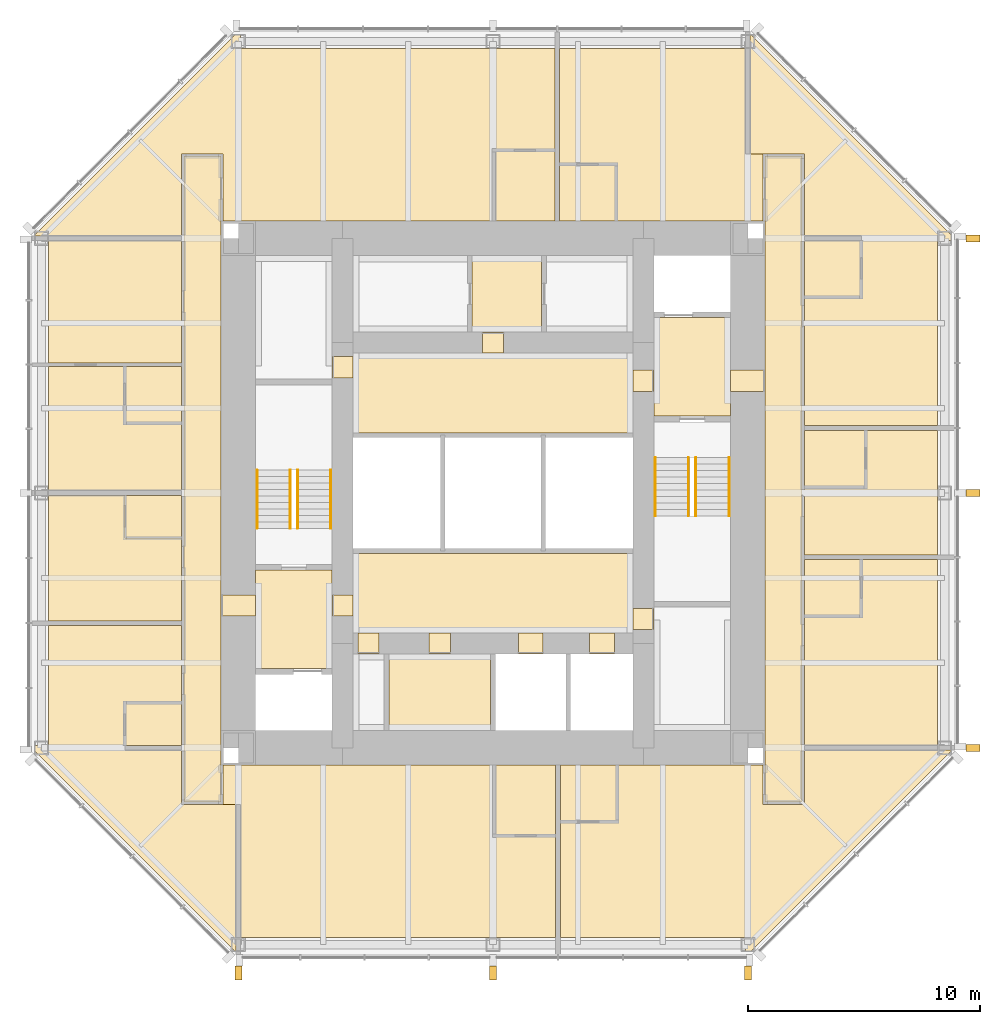
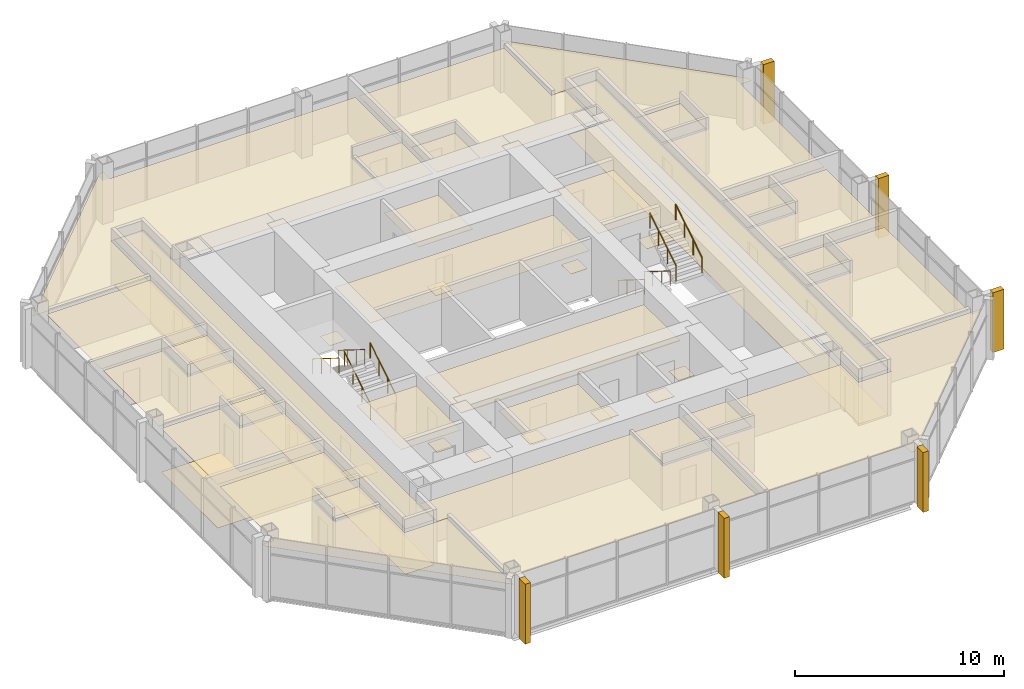
# One storey, part 11 of 11: 49 coverings, 8 railings.
"""IFC4 building model written with IfcOpenShell, lengths in metres."""

from ifc_helpers import new_model, si_unit, direction, frame, origin, origin_2d, place, context, subcontext, project, spatial, polyline, rectangle, circle, outline, extrude, material, layer, layer_set, type_object, element, save


model = new_model("IFC4")

# Units and contexts
model_context = context("Model", 3, precision=1e-05, world=origin(), true_north=direction((0.0, 1.0)))
body_context = subcontext(model_context, "Body", "Model", "MODEL_VIEW")
ifc_project = project(units=[si_unit("LENGTHUNIT", "METRE"), si_unit("AREAUNIT", "SQUARE_METRE"), si_unit("VOLUMEUNIT", "CUBIC_METRE"), si_unit("PLANEANGLEUNIT", "RADIAN"), si_unit("MASSUNIT", "GRAM", prefix="KILO")], contexts=[model_context])

# Site, building, storey
site_placement = place(None, origin())
site = spatial("IfcSite", under=ifc_project, at=site_placement, CompositionType="ELEMENT")
building_placement = place(site_placement, origin())
building = spatial("IfcBuilding", under=site, at=building_placement, Name="Trevanion Tower", CompositionType="ELEMENT")
storey_placement = place(building_placement, frame((0.0, 0.0, 243.199951171875)))
storey = spatial("IfcBuildingStorey", under=building, at=storey_placement, Name="L59", CompositionType="ELEMENT", Elevation=243.199951171875)

# Coverings
ifc_material_1 = material(Name="Fibrous plaster coffers on suspended steel grid", Category="steel")
ifc_layer_1 = layer(ifc_material_1, 0.050048828125)
ifc_layer_set_1 = layer_set([ifc_layer_1], Name="CL1 coffered fibrous plaster ceiling 50")
covering_type_1 = type_object("IfcCoveringType", Name="CL1 coffered fibrous plaster ceiling 50", PredefinedType="CEILING", material=ifc_layer_set_1)
covering_1_placement = place(storey_placement, frame((0.0, 0.0, 2.429931640625)))
element("IfcCovering", 1, at=covering_1_placement, inside=storey, type_object=covering_type_1, Name="CL1 L59-LBS", PredefinedType="CEILING", context=body_context, shape_type="SweptSolid", body=[
    extrude(outline(polyline([(6.050048828125, -6.050048828125), (6.050048828125, -2.60009765625), (-6.050048828125, -2.60009765625), (-6.050048828125, -6.050048828125), (6.050048828125, -6.050048828125)])), origin(), (0.0, 0.0, 1.0), 0.050048828125),
])
ifc_material_2 = material(Name="Mineral fibre acoustic tiles in exposed grid", Category="mineral fibre")
ifc_layer_2 = layer(ifc_material_2, 0.02001953125)
ifc_layer_set_2 = layer_set([ifc_layer_2], Name="CL2 acoustic tile ceiling 20")
covering_type_2 = type_object("IfcCoveringType", Name="CL2 acoustic tile ceiling 20", PredefinedType="CEILING", material=ifc_layer_set_2)
covering_2_placement = place(storey_placement, frame((0.0, 0.0, 2.4599609375)))
element("IfcCovering", 2, at=covering_2_placement, inside=storey, type_object=covering_type_2, Name="CL2 L59-LBN", PredefinedType="CEILING", context=body_context, shape_type="SweptSolid", body=[
    extrude(outline(polyline([(6.050048828125, 2.60009765625), (6.050048828125, 6.050048828125), (-6.050048828125, 6.050048828125), (-6.050048828125, 2.60009765625), (6.050048828125, 2.60009765625)])), origin(), (0.0, 0.0, 1.0), 0.02001953125),
])
covering_3_placement = place(storey_placement, frame((0.0, 0.0, 2.4599609375)))
element("IfcCovering", 3, at=covering_3_placement, inside=storey, type_object=covering_type_2, Name="CL2 L59-HKC", PredefinedType="CEILING", context=body_context, shape_type="SweptSolid", body=[
    extrude(outline(polyline([(2.10009765625, 6.949951171875), (2.10009765625, 10.25), (-0.89990234375, 10.25), (-0.89990234375, 6.949951171875), (2.10009765625, 6.949951171875)])), origin(), (0.0, 0.0, 1.0), 0.02001953125),
])
covering_4_placement = place(storey_placement, frame((0.0, 0.0, 2.633056640625)))
element("IfcCovering", 4, at=covering_4_placement, inside=storey, type_object=covering_type_2, Name="CL2 L59-CO1", PredefinedType="CEILING", context=body_context, shape_type="SweptSolid", body=[
    extrude(outline(polyline([(-11.75, 14.550048828125), (-11.75, -13.35009765625), (-13.35009765625, -13.35009765625), (-13.35009765625, 14.550048828125), (-11.75, 14.550048828125)])), origin(), (0.0, 0.0, 1.0), 0.02001953125),
])
covering_5_placement = place(storey_placement, frame((0.0, 0.0, 2.633056640625)))
element("IfcCovering", 5, at=covering_5_placement, inside=storey, type_object=covering_type_2, Name="CL2 L59-CO2", PredefinedType="CEILING", context=body_context, shape_type="SweptSolid", body=[
    extrude(outline(polyline([(11.75, -13.35009765625), (11.75, 14.550048828125), (13.35009765625, 14.550048828125), (13.35009765625, -13.35009765625), (11.75, -13.35009765625)])), origin(), (0.0, 0.0, 1.0), 0.02001953125),
])
ifc_material_3 = material(Name="Gypsum plasterboard on suspended metal furring", Category="gypsum")
ifc_layer_3 = layer(ifc_material_3, 0.012939453125)
ifc_layer_set_3 = layer_set([ifc_layer_3], Name="CL3 plasterboard ceiling 13")
covering_type_3 = type_object("IfcCoveringType", Name="CL3 plasterboard ceiling 13", PredefinedType="CEILING", material=ifc_layer_set_3)
covering_6_placement = place(storey_placement, frame((0.0, 0.0, 2.699951171875)))
element("IfcCovering", 6, at=covering_6_placement, inside=storey, type_object=covering_type_3, Name="CL3 L59-FV1", PredefinedType="CEILING", context=body_context, shape_type="SweptSolid", body=[
    extrude(outline(polyline([(10.25, 3.324951171875), (10.25, 7.574951171875), (6.949951171875, 7.574951171875), (6.949951171875, 3.324951171875), (10.25, 3.324951171875)])), origin(), (0.0, 0.0, 1.0), 0.01318359375),
])
covering_7_placement = place(storey_placement, frame((0.0, 0.0, 2.699951171875)))
element("IfcCovering", 7, at=covering_7_placement, inside=storey, type_object=covering_type_3, Name="CL3 L59-FV2", PredefinedType="CEILING", context=body_context, shape_type="SweptSolid", body=[
    extrude(outline(polyline([(-10.25, -3.324951171875), (-10.25, -7.574951171875), (-6.949951171875, -7.574951171875), (-6.949951171875, -3.324951171875), (-10.25, -3.324951171875)])), origin(), (0.0, 0.0, 1.0), 0.01318359375),
])
covering_8_placement = place(storey_placement, frame((0.0, 0.0, 2.551025390625)))
element("IfcCovering", 8, at=covering_8_placement, inside=storey, type_object=covering_type_3, Name="CL3 L59-GJ", PredefinedType="CEILING", context=body_context, shape_type="SweptSolid", body=[
    extrude(outline(polyline([(13.449951171875, -5.324951171875), (15.89990234375, -5.324951171875), (15.89990234375, -2.875), (19.199951171875, -2.875), (19.199951171875, -10.89990234375), (13.449951171875, -10.89990234375), (13.449951171875, -5.324951171875)])), origin(), (0.0, 0.0, 1.0), 0.012939453125),
])
covering_9_placement = place(storey_placement, frame((0.0, 0.0, 2.551025390625)))
element("IfcCovering", 9, at=covering_9_placement, inside=storey, type_object=covering_type_3, Name="CL3 L59-GA", PredefinedType="CEILING", context=body_context, shape_type="SweptSolid", body=[
    extrude(outline(polyline([(13.449951171875, 0.257080078125), (16.10009765625, 0.257080078125), (16.10009765625, 2.70703125), (19.199951171875, 2.70703125), (19.199951171875, -2.675048828125), (13.449951171875, -2.675048828125), (13.449951171875, 0.257080078125)])), origin(), (0.0, 0.0, 1.0), 0.012939453125),
])
covering_10_placement = place(storey_placement, frame((0.0, 0.0, 2.551025390625)))
element("IfcCovering", 10, at=covering_10_placement, inside=storey, type_object=covering_type_3, Name="CL3 L59-GJ2", PredefinedType="CEILING", context=body_context, shape_type="SweptSolid", body=[
    extrude(outline(polyline([(11.10009765625, 14.64990234375), (11.10009765625, 19.800048828125), (11.124267578125, 19.800048828125), (19.800048828125, 11.124267578125), (19.800048828125, 10.89990234375), (19.199951171875, 10.89990234375), (19.199951171875, 2.906982421875), (13.449951171875, 2.906982421875), (13.449951171875, 8.449951171875), (15.89990234375, 8.449951171875), (15.89990234375, 10.949951171875), (13.449951171875, 10.949951171875), (13.449951171875, 14.64990234375), (11.10009765625, 14.64990234375)])), origin(), (0.0, 0.0, 1.0), 0.012939453125),
])
covering_11_placement = place(storey_placement, frame((0.0, 0.0, 2.551025390625)))
element("IfcCovering", 11, at=covering_11_placement, inside=storey, type_object=covering_type_3, Name="CL3 L59-GJ3", PredefinedType="CEILING", context=body_context, shape_type="SweptSolid", body=[
    extrude(outline(polyline([(2.875, 19.199951171875), (10.89990234375, 19.199951171875), (10.89990234375, 14.64990234375), (11.64990234375, 14.64990234375), (11.64990234375, 11.75), (5.324951171875, 11.75), (5.324951171875, 14.199951171875), (2.875, 14.199951171875), (2.875, 19.199951171875)])), origin(), (0.0, 0.0, 1.0), 0.012939453125),
])
covering_12_placement = place(storey_placement, frame((0.0, 0.0, 2.551025390625)))
element("IfcCovering", 12, at=covering_12_placement, inside=storey, type_object=covering_type_3, Name="CL3 L59-GY", PredefinedType="CEILING", context=body_context, shape_type="SweptSolid", body=[
    extrude(outline(polyline([(-13.449951171875, 11.10009765625), (-19.800048828125, 11.10009765625), (-19.800048828125, 11.124267578125), (-11.124267578125, 19.800048828125), (-10.89990234375, 19.800048828125), (-10.89990234375, 19.199951171875), (2.675048828125, 19.199951171875), (2.675048828125, 14.800048828125), (0.02490234375, 14.800048828125), (0.02490234375, 11.75), (-11.64990234375, 11.75), (-11.64990234375, 14.64990234375), (-13.449951171875, 14.64990234375), (-13.449951171875, 11.10009765625)])), origin(), (0.0, 0.0, 1.0), 0.012939453125),
])
covering_13_placement = place(storey_placement, frame((0.0, 0.0, 2.551025390625)))
element("IfcCovering", 13, at=covering_13_placement, inside=storey, type_object=covering_type_3, Name="CL3 L59-SL", PredefinedType="CEILING", context=body_context, shape_type="SweptSolid", body=[
    extrude(outline(polyline([(-13.449951171875, 10.89990234375), (-13.449951171875, 5.6240234375), (-19.199951171875, 5.6240234375), (-19.199951171875, 10.89990234375), (-13.449951171875, 10.89990234375)])), origin(), (0.0, 0.0, 1.0), 0.012939453125),
])
covering_14_placement = place(storey_placement, frame((0.0, 0.0, 2.551025390625)))
element("IfcCovering", 14, at=covering_14_placement, inside=storey, type_object=covering_type_3, Name="CL3 L59-SB", PredefinedType="CEILING", context=body_context, shape_type="SweptSolid", body=[
    extrude(outline(polyline([(-13.449951171875, 0.10009765625), (-19.199951171875, 0.10009765625), (-19.199951171875, 5.47412109375), (-15.89990234375, 5.47412109375), (-15.89990234375, 3.02392578125), (-13.449951171875, 3.02392578125), (-13.449951171875, 0.10009765625)])), origin(), (0.0, 0.0, 1.0), 0.012939453125),
])
covering_15_placement = place(storey_placement, frame((0.0, 0.0, 2.551025390625)))
element("IfcCovering", 15, at=covering_15_placement, inside=storey, type_object=covering_type_3, Name="CL3 L59-GR", PredefinedType="CEILING", context=body_context, shape_type="SweptSolid", body=[
    extrude(outline(polyline([(-13.449951171875, -5.513916015625), (-19.199951171875, -5.513916015625), (-19.199951171875, -0.10009765625), (-15.89990234375, -0.10009765625), (-15.89990234375, -1.949951171875), (-13.449951171875, -1.949951171875), (-13.449951171875, -5.513916015625)])), origin(), (0.0, 0.0, 1.0), 0.012939453125),
])
covering_16_placement = place(storey_placement, frame((0.0, 0.0, 2.551025390625)))
element("IfcCovering", 16, at=covering_16_placement, inside=storey, type_object=covering_type_3, Name="CL3 L59-GR2", PredefinedType="CEILING", context=body_context, shape_type="SweptSolid", body=[
    extrude(outline(polyline([(-11.10009765625, -13.449951171875), (-11.10009765625, -19.800048828125), (-11.124267578125, -19.800048828125), (-19.800048828125, -11.124267578125), (-19.800048828125, -10.89990234375), (-19.199951171875, -10.89990234375), (-19.199951171875, -5.714111328125), (-13.449951171875, -5.714111328125), (-13.449951171875, -9.050048828125), (-15.89990234375, -9.050048828125), (-15.89990234375, -10.949951171875), (-13.449951171875, -10.949951171875), (-13.449951171875, -13.449951171875), (-11.10009765625, -13.449951171875)])), origin(), (0.0, 0.0, 1.0), 0.012939453125),
])
covering_17_placement = place(storey_placement, frame((0.0, 0.0, 2.551025390625)))
element("IfcCovering", 17, at=covering_17_placement, inside=storey, type_object=covering_type_3, Name="CL3 L59-GY2", PredefinedType="CEILING", context=body_context, shape_type="SweptSolid", body=[
    extrude(outline(polyline([(2.70703125, -19.199951171875), (-10.89990234375, -19.199951171875), (-10.89990234375, -13.449951171875), (-11.64990234375, -13.449951171875), (-11.64990234375, -11.75), (0.056884765625, -11.75), (0.056884765625, -14.800048828125), (2.70703125, -14.800048828125), (2.70703125, -19.199951171875)])), origin(), (0.0, 0.0, 1.0), 0.012939453125),
])
covering_18_placement = place(storey_placement, frame((0.0, 0.0, 2.551025390625)))
element("IfcCovering", 18, at=covering_18_placement, inside=storey, type_object=covering_type_3, Name="CL3 L59-GJ4", PredefinedType="CEILING", context=body_context, shape_type="SweptSolid", body=[
    extrude(outline(polyline([(13.449951171875, -11.10009765625), (19.800048828125, -11.10009765625), (19.800048828125, -11.124267578125), (11.124267578125, -19.800048828125), (10.89990234375, -19.800048828125), (10.89990234375, -19.199951171875), (2.906982421875, -19.199951171875), (2.906982421875, -14.199951171875), (5.35693359375, -14.199951171875), (5.35693359375, -11.75), (11.64990234375, -11.75), (11.64990234375, -13.449951171875), (13.449951171875, -13.449951171875), (13.449951171875, -11.10009765625)])), origin(), (0.0, 0.0, 1.0), 0.012939453125),
])
ifc_material_4 = material(Name="Moisture-resistant gypsum board on suspended metal furring", Category="gypsum")
ifc_layer_4 = layer(ifc_material_4, 0.01611328125)
ifc_layer_set_4 = layer_set([ifc_layer_4], Name="CL4 moisture-resistant board ceiling 16")
covering_type_4 = type_object("IfcCoveringType", Name="CL4 moisture-resistant board ceiling 16", PredefinedType="CEILING", material=ifc_layer_set_4)
covering_19_placement = place(storey_placement, frame((0.0, 0.0, 2.60009765625)))
element("IfcCovering", 19, at=covering_19_placement, inside=storey, type_object=covering_type_4, Name="CL4 L59-SI2", PredefinedType="CEILING", context=body_context, shape_type="SweptSolid", body=[
    extrude(outline(polyline([(-0.10009765625, -10.25), (-0.10009765625, -6.949951171875), (-4.5, -6.949951171875), (-4.5, -10.25), (-0.10009765625, -10.25)])), origin(), (0.0, 0.0, 1.0), 0.015869140625),
])
covering_20_placement = place(storey_placement, frame((0.0, 0.0, 2.60009765625)))
element("IfcCovering", 20, at=covering_20_placement, inside=storey, type_object=covering_type_4, Name="CL4 L59-EN", PredefinedType="CEILING", context=body_context, shape_type="SweptSolid", body=[
    extrude(outline(polyline([(15.85009765625, -5.27490234375), (15.85009765625, -2.875), (13.449951171875, -2.875), (13.449951171875, -5.27490234375), (15.85009765625, -5.27490234375)])), origin(), (0.0, 0.0, 1.0), 0.015869140625),
])
covering_21_placement = place(storey_placement, frame((0.0, 0.0, 2.60009765625)))
element("IfcCovering", 21, at=covering_21_placement, inside=storey, type_object=covering_type_4, Name="CL4 L59-EN2", PredefinedType="CEILING", context=body_context, shape_type="SweptSolid", body=[
    extrude(outline(polyline([(16.050048828125, 0.306884765625), (16.050048828125, 2.70703125), (13.449951171875, 2.70703125), (13.449951171875, 0.306884765625), (16.050048828125, 0.306884765625)])), origin(), (0.0, 0.0, 1.0), 0.015869140625),
])
covering_22_placement = place(storey_placement, frame((0.0, 0.0, 2.60009765625)))
element("IfcCovering", 22, at=covering_22_placement, inside=storey, type_object=covering_type_4, Name="CL4 L59-EN3", PredefinedType="CEILING", context=body_context, shape_type="SweptSolid", body=[
    extrude(outline(polyline([(15.85009765625, 8.5), (15.85009765625, 10.89990234375), (13.449951171875, 10.89990234375), (13.449951171875, 8.5), (15.85009765625, 8.5)])), origin(), (0.0, 0.0, 1.0), 0.015869140625),
])
covering_23_placement = place(storey_placement, frame((0.0, 0.0, 2.60009765625)))
element("IfcCovering", 23, at=covering_23_placement, inside=storey, type_object=covering_type_4, Name="CL4 L59-EN4", PredefinedType="CEILING", context=body_context, shape_type="SweptSolid", body=[
    extrude(outline(polyline([(5.27490234375, 14.14990234375), (2.875, 14.14990234375), (2.875, 11.75), (5.27490234375, 11.75), (5.27490234375, 14.14990234375)])), origin(), (0.0, 0.0, 1.0), 0.015869140625),
])
covering_24_placement = place(storey_placement, frame((0.0, 0.0, 2.60009765625)))
element("IfcCovering", 24, at=covering_24_placement, inside=storey, type_object=covering_type_4, Name="CL4 L59-EN5", PredefinedType="CEILING", context=body_context, shape_type="SweptSolid", body=[
    extrude(outline(polyline([(2.675048828125, 14.75), (0.074951171875, 14.75), (0.074951171875, 11.75), (2.675048828125, 11.75), (2.675048828125, 14.75)])), origin(), (0.0, 0.0, 1.0), 0.015869140625),
])
covering_25_placement = place(storey_placement, frame((0.0, 0.0, 2.60009765625)))
element("IfcCovering", 25, at=covering_25_placement, inside=storey, type_object=covering_type_4, Name="CL4 L59-SN", PredefinedType="CEILING", context=body_context, shape_type="SweptSolid", body=[
    extrude(outline(polyline([(-15.85009765625, 5.47412109375), (-15.85009765625, 3.073974609375), (-13.449951171875, 3.073974609375), (-13.449951171875, 5.47412109375), (-15.85009765625, 5.47412109375)])), origin(), (0.0, 0.0, 1.0), 0.015869140625),
])
covering_26_placement = place(storey_placement, frame((0.0, 0.0, 2.60009765625)))
element("IfcCovering", 26, at=covering_26_placement, inside=storey, type_object=covering_type_4, Name="CL4 L59-EN6", PredefinedType="CEILING", context=body_context, shape_type="SweptSolid", body=[
    extrude(outline(polyline([(-15.85009765625, -0.10009765625), (-15.85009765625, -1.89990234375), (-13.449951171875, -1.89990234375), (-13.449951171875, -0.10009765625), (-15.85009765625, -0.10009765625)])), origin(), (0.0, 0.0, 1.0), 0.015869140625),
])
covering_27_placement = place(storey_placement, frame((0.0, 0.0, 2.60009765625)))
element("IfcCovering", 27, at=covering_27_placement, inside=storey, type_object=covering_type_4, Name="CL4 L59-EN7", PredefinedType="CEILING", context=body_context, shape_type="SweptSolid", body=[
    extrude(outline(polyline([(-15.85009765625, -9.10009765625), (-15.85009765625, -10.89990234375), (-13.449951171875, -10.89990234375), (-13.449951171875, -9.10009765625), (-15.85009765625, -9.10009765625)])), origin(), (0.0, 0.0, 1.0), 0.015869140625),
])
covering_28_placement = place(storey_placement, frame((0.0, 0.0, 2.60009765625)))
element("IfcCovering", 28, at=covering_28_placement, inside=storey, type_object=covering_type_4, Name="CL4 L59-EN8", PredefinedType="CEILING", context=body_context, shape_type="SweptSolid", body=[
    extrude(outline(polyline([(0.10693359375, -14.75), (2.70703125, -14.75), (2.70703125, -11.75), (0.10693359375, -11.75), (0.10693359375, -14.75)])), origin(), (0.0, 0.0, 1.0), 0.015869140625),
])
covering_29_placement = place(storey_placement, frame((0.0, 0.0, 2.60009765625)))
element("IfcCovering", 29, at=covering_29_placement, inside=storey, type_object=covering_type_4, Name="CL4 L59-EN9", PredefinedType="CEILING", context=body_context, shape_type="SweptSolid", body=[
    extrude(outline(polyline([(2.906982421875, -14.14990234375), (5.306884765625, -14.14990234375), (5.306884765625, -11.75), (2.906982421875, -11.75), (2.906982421875, -14.14990234375)])), origin(), (0.0, 0.0, 1.0), 0.015869140625),
])
ifc_material_5 = material(Name="Cast bronze fin on aluminium carrier", Category="aluminium")
covering_type_5 = type_object("IfcCoveringType", Name="F1 bronze fin", PredefinedType="CLADDING", material=ifc_material_5)
for number, where, z_axis, x_axis, name in (
    (30, (20.72509765625, -11.0, -0.18994140625), (0.0, 0.0, 1.0), (0.0, 1.0, 0.0), "F1 L59 east -11.0"),
    (31, (20.72509765625, 0.0, -0.18994140625), (0.0, 0.0, 1.0), (0.0, 1.0, 0.0), "F1 L59 east +0.0"),
    (32, (20.72509765625, 11.0, -0.18994140625), (0.0, 0.0, 1.0), (0.0, 1.0, 0.0), "F1 L59 east +11.0"),
    (33, (-11.0, -20.72509765625, -0.18994140625), (0.0, 0.0, 1.0), (1.0, 0.0, 0.0), "F1 L59 south -11.0"),
    (34, (0.0, -20.72509765625, -0.18994140625), (0.0, 0.0, 1.0), (1.0, 0.0, 0.0), "F1 L59 south +0.0"),
    (35, (11.0, -20.72509765625, -0.18994140625), (0.0, 0.0, 1.0), (1.0, 0.0, 0.0), "F1 L59 south +11.0"),
):
    element("IfcCovering", number, at=place(storey_placement, frame(where, z_axis=z_axis, x_axis=x_axis)), inside=storey, type_object=covering_type_5, Name=name, PredefinedType="CLADDING", context=body_context, shape_type="SweptSolid", body=[
        extrude(rectangle(XDim=0.300048828125, YDim=0.60009765625, at=origin_2d()), origin(), (0.0, 0.0, 1.0), 3.5),
    ])
ifc_material_6 = material(Name="Terrazzo, brass divider strips", Category="stone")
ifc_layer_5 = layer(ifc_material_6, 0.02001953125)
ifc_layer_set_5 = layer_set([ifc_layer_5], Name="FF1 terrazzo flooring")
covering_type_6 = type_object("IfcCoveringType", Name="FF1 terrazzo flooring", PredefinedType="FLOORING", material=ifc_layer_set_5)
covering_30_placement = place(storey_placement, origin())
element("IfcCovering", 36, at=covering_30_placement, inside=storey, type_object=covering_type_6, Name="FF1 threshold 59-001", PredefinedType="FLOORING", context=body_context, shape_type="SweptSolid", body=[
    extrude(outline(polyline([(11.75, 4.392578125), (11.75, 5.3076171875), (10.25, 5.3076171875), (10.25, 4.392578125), (11.75, 4.392578125)])), origin(), (0.0, 0.0, 1.0), 0.02001953125),
])
covering_31_placement = place(storey_placement, origin())
element("IfcCovering", 37, at=covering_31_placement, inside=storey, type_object=covering_type_6, Name="FF1 threshold 59-002", PredefinedType="FLOORING", context=body_context, shape_type="SweptSolid", body=[
    extrude(outline(polyline([(-11.75, -4.392578125), (-11.75, -5.3076171875), (-10.25, -5.3076171875), (-10.25, -4.392578125), (-11.75, -4.392578125)])), origin(), (0.0, 0.0, 1.0), 0.02001953125),
])
covering_32_placement = place(storey_placement, origin())
element("IfcCovering", 38, at=covering_32_placement, inside=storey, type_object=covering_type_6, Name="FF1 threshold 59-003", PredefinedType="FLOORING", context=body_context, shape_type="SweptSolid", body=[
    extrude(outline(polyline([(6.949951171875, 4.392578125), (6.949951171875, 5.3076171875), (6.050048828125, 5.3076171875), (6.050048828125, 4.392578125), (6.949951171875, 4.392578125)])), origin(), (0.0, 0.0, 1.0), 0.02001953125),
])
covering_33_placement = place(storey_placement, origin())
element("IfcCovering", 39, at=covering_33_placement, inside=storey, type_object=covering_type_6, Name="FF1 threshold 59-004", PredefinedType="FLOORING", context=body_context, shape_type="SweptSolid", body=[
    extrude(outline(polyline([(-6.949951171875, -4.392578125), (-6.949951171875, -5.3076171875), (-6.050048828125, -5.3076171875), (-6.050048828125, -4.392578125), (-6.949951171875, -4.392578125)])), origin(), (0.0, 0.0, 1.0), 0.02001953125),
])
covering_34_placement = place(storey_placement, origin())
element("IfcCovering", 40, at=covering_34_placement, inside=storey, type_object=covering_type_6, Name="FF1 threshold 59-009", PredefinedType="FLOORING", context=body_context, shape_type="SweptSolid", body=[
    extrude(outline(polyline([(6.949951171875, -5.889892578125), (6.949951171875, -4.97509765625), (6.050048828125, -4.97509765625), (6.050048828125, -5.889892578125), (6.949951171875, -5.889892578125)])), origin(), (0.0, 0.0, 1.0), 0.02001953125),
])
covering_35_placement = place(storey_placement, origin())
element("IfcCovering", 41, at=covering_35_placement, inside=storey, type_object=covering_type_6, Name="FF1 threshold 59-010", PredefinedType="FLOORING", context=body_context, shape_type="SweptSolid", body=[
    extrude(outline(polyline([(-6.949951171875, 5.889892578125), (-6.949951171875, 4.97509765625), (-6.050048828125, 4.97509765625), (-6.050048828125, 5.889892578125), (-6.949951171875, 5.889892578125)])), origin(), (0.0, 0.0, 1.0), 0.02001953125),
])
covering_36_placement = place(storey_placement, origin())
element("IfcCovering", 42, at=covering_36_placement, inside=storey, type_object=covering_type_6, Name="FF1 threshold 59-011", PredefinedType="FLOORING", context=body_context, shape_type="SweptSolid", body=[
    extrude(outline(polyline([(1.091552734375, -6.949951171875), (2.158447265625, -6.949951171875), (2.158447265625, -6.050048828125), (1.091552734375, -6.050048828125), (1.091552734375, -6.949951171875)])), origin(), (0.0, 0.0, 1.0), 0.02001953125),
])
covering_37_placement = place(storey_placement, origin())
element("IfcCovering", 43, at=covering_37_placement, inside=storey, type_object=covering_type_6, Name="FF1 threshold 59-012", PredefinedType="FLOORING", context=body_context, shape_type="SweptSolid", body=[
    extrude(outline(polyline([(4.16650390625, -6.949951171875), (5.2333984375, -6.949951171875), (5.2333984375, -6.050048828125), (4.16650390625, -6.050048828125), (4.16650390625, -6.949951171875)])), origin(), (0.0, 0.0, 1.0), 0.02001953125),
])
covering_38_placement = place(storey_placement, origin())
element("IfcCovering", 44, at=covering_38_placement, inside=storey, type_object=covering_type_6, Name="FF1 threshold 59-013", PredefinedType="FLOORING", context=body_context, shape_type="SweptSolid", body=[
    extrude(outline(polyline([(-5.83251953125, -6.949951171875), (-4.91748046875, -6.949951171875), (-4.91748046875, -6.050048828125), (-5.83251953125, -6.050048828125), (-5.83251953125, -6.949951171875)])), origin(), (0.0, 0.0, 1.0), 0.02001953125),
])
covering_39_placement = place(storey_placement, origin())
element("IfcCovering", 45, at=covering_39_placement, inside=storey, type_object=covering_type_6, Name="FF1 threshold 59-014", PredefinedType="FLOORING", context=body_context, shape_type="SweptSolid", body=[
    extrude(outline(polyline([(-2.757568359375, -6.949951171875), (-1.842529296875, -6.949951171875), (-1.842529296875, -6.050048828125), (-2.757568359375, -6.050048828125), (-2.757568359375, -6.949951171875)])), origin(), (0.0, 0.0, 1.0), 0.02001953125),
])
covering_40_placement = place(storey_placement, origin())
element("IfcCovering", 46, at=covering_40_placement, inside=storey, type_object=covering_type_6, Name="FF1 threshold 59-015", PredefinedType="FLOORING", context=body_context, shape_type="SweptSolid", body=[
    extrude(outline(polyline([(0.45751953125, 6.949951171875), (-0.45751953125, 6.949951171875), (-0.45751953125, 6.050048828125), (0.45751953125, 6.050048828125), (0.45751953125, 6.949951171875)])), origin(), (0.0, 0.0, 1.0), 0.02001953125),
])
ifc_material_7 = material(Name="Wool carpet on underlay", Category="textile")
ifc_layer_6 = layer(ifc_material_7, 0.011962890625)
ifc_layer_set_6 = layer_set([ifc_layer_6], Name="FF2 carpet flooring")
covering_type_7 = type_object("IfcCoveringType", Name="FF2 carpet flooring", PredefinedType="FLOORING", material=ifc_layer_set_6)
covering_41_placement = place(storey_placement, origin())
element("IfcCovering", 47, at=covering_41_placement, inside=storey, type_object=covering_type_7, Name="FF2 L59-CO1", PredefinedType="FLOORING", context=body_context, shape_type="SweptSolid", body=[
    extrude(outline(polyline([(-11.75, 14.550048828125), (-11.75, -13.35009765625), (-13.35009765625, -13.35009765625), (-13.35009765625, 14.550048828125), (-11.75, 14.550048828125)])), origin(), (0.0, 0.0, 1.0), 0.011962890625),
])
covering_42_placement = place(storey_placement, origin())
element("IfcCovering", 48, at=covering_42_placement, inside=storey, type_object=covering_type_7, Name="FF2 L59-CO2", PredefinedType="FLOORING", context=body_context, shape_type="SweptSolid", body=[
    extrude(outline(polyline([(11.75, -13.35009765625), (11.75, 14.550048828125), (13.35009765625, 14.550048828125), (13.35009765625, -13.35009765625), (11.75, -13.35009765625)])), origin(), (0.0, 0.0, 1.0), 0.011962890625),
])
covering_43_placement = place(storey_placement, origin())
element("IfcCovering", 49, at=covering_43_placement, inside=storey, type_object=covering_type_7, Name="FF2 L59-GR", PredefinedType="FLOORING", context=body_context, shape_type="SweptSolid", body=[
    extrude(outline(polyline([(-13.449951171875, -5.513916015625), (-19.199951171875, -5.513916015625), (-19.199951171875, -0.10009765625), (-15.89990234375, -0.10009765625), (-15.89990234375, -1.949951171875), (-13.449951171875, -1.949951171875), (-13.449951171875, -5.513916015625)])), origin(), (0.0, 0.0, 1.0), 0.011962890625),
])

# Railings
ifc_material_8 = material(Name="Stainless steel tube 40 mm", Category="steel")
railing_type = type_object("IfcRailingType", Name="HR1 handrail", PredefinedType="HANDRAIL", material=ifc_material_8)
for number, where, name in (
    (50, (7.010009765625, 1.52490234375, 0.175048828125), "HR1 ST1 L59 flight 1"),
    (51, (8.43994140625, 1.52490234375, 0.175048828125), "HR1 ST1 L59 flight 1"),
):
    element("IfcRailing", number, at=place(storey_placement, frame(where)), inside=storey, type_object=railing_type, Name=name, PredefinedType="HANDRAIL", context=body_context, shape_type="SweptSolid", body=[
        extrude(circle(Radius=0.02001953125, at=origin_2d()), frame((0.0, 0.0, 0.8798828125), z_axis=(0.0, -0.848007534815, 0.529984170421), x_axis=(1.0, 0.0, 0.0)), (0.0, 0.0, 1.0), 2.9716796875),
        extrude(circle(Radius=0.01513671875, at=origin_2d()), origin(), (0.0, 0.0, 1.0), 0.85986328125),
        extrude(circle(Radius=0.01513671875, at=origin_2d()), frame((0.0, -0.840087890625, 0.52490234375)), (0.0, 0.0, 1.0), 0.85986328125),
        extrude(circle(Radius=0.01513671875, at=origin_2d()), frame((0.0, -1.679931640625, 1.050048828125)), (0.0, 0.0, 1.0), 0.85986328125),
        extrude(circle(Radius=0.01513671875, at=origin_2d()), frame((0.0, -2.52001953125, 1.574951171875)), (0.0, 0.0, 1.0), 0.85986328125),
    ])
for number, where, name in (
    (52, (8.760009765625, -0.9951171875, 1.925048828125), "HR1 ST1 L59 flight 2"),
    (53, (10.18994140625, -0.9951171875, 1.925048828125), "HR1 ST1 L59 flight 2"),
    (54, (-7.010009765625, -1.52490234375, 0.175048828125), "HR1 ST2 L59 flight 1"),
    (55, (-8.43994140625, -1.52490234375, 0.175048828125), "HR1 ST2 L59 flight 1"),
):
    element("IfcRailing", number, at=place(storey_placement, frame(where)), inside=storey, type_object=railing_type, Name=name, PredefinedType="HANDRAIL", context=body_context, shape_type="SweptSolid", body=[
        extrude(circle(Radius=0.02001953125, at=origin_2d()), frame((0.0, 0.0, 0.8798828125), z_axis=(0.0, 0.848007534815, 0.529984170421), x_axis=(-1.0, 0.0, 0.0)), (0.0, 0.0, 1.0), 2.9716796875),
        extrude(circle(Radius=0.01513671875, at=origin_2d()), origin(), (0.0, 0.0, 1.0), 0.85986328125),
        extrude(circle(Radius=0.01513671875, at=origin_2d()), frame((0.0, 0.840087890625, 0.52490234375)), (0.0, 0.0, 1.0), 0.85986328125),
        extrude(circle(Radius=0.01513671875, at=origin_2d()), frame((0.0, 1.679931640625, 1.050048828125)), (0.0, 0.0, 1.0), 0.85986328125),
        extrude(circle(Radius=0.01513671875, at=origin_2d()), frame((0.0, 2.52001953125, 1.574951171875)), (0.0, 0.0, 1.0), 0.85986328125),
    ])
for number, where, name in (
    (56, (-8.760009765625, 0.9951171875, 1.925048828125), "HR1 ST2 L59 flight 2"),
    (57, (-10.18994140625, 0.9951171875, 1.925048828125), "HR1 ST2 L59 flight 2"),
):
    element("IfcRailing", number, at=place(storey_placement, frame(where)), inside=storey, type_object=railing_type, Name=name, PredefinedType="HANDRAIL", context=body_context, shape_type="SweptSolid", body=[
        extrude(circle(Radius=0.02001953125, at=origin_2d()), frame((0.0, 0.0, 0.8798828125), z_axis=(0.0, -0.848007534815, 0.529984170421), x_axis=(1.0, 0.0, 0.0)), (0.0, 0.0, 1.0), 2.9716796875),
        extrude(circle(Radius=0.01513671875, at=origin_2d()), origin(), (0.0, 0.0, 1.0), 0.85986328125),
        extrude(circle(Radius=0.01513671875, at=origin_2d()), frame((0.0, -0.840087890625, 0.52490234375)), (0.0, 0.0, 1.0), 0.85986328125),
        extrude(circle(Radius=0.01513671875, at=origin_2d()), frame((0.0, -1.679931640625, 1.050048828125)), (0.0, 0.0, 1.0), 0.85986328125),
        extrude(circle(Radius=0.01513671875, at=origin_2d()), frame((0.0, -2.52001953125, 1.574951171875)), (0.0, 0.0, 1.0), 0.85986328125),
    ])

save(model, "model.ifc")
